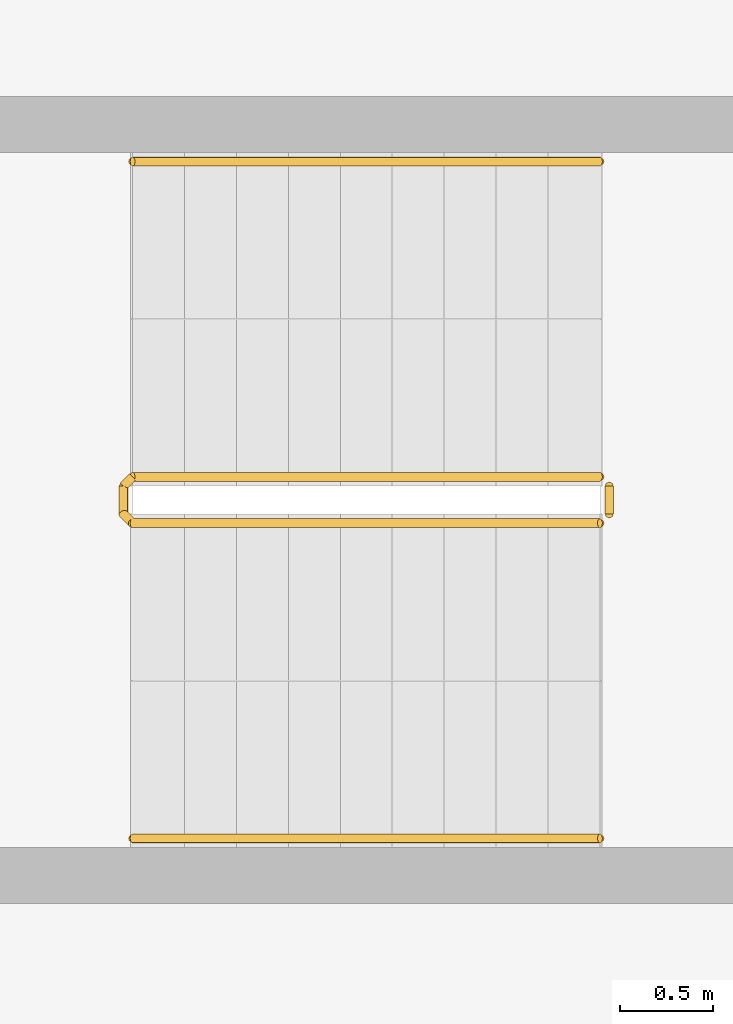
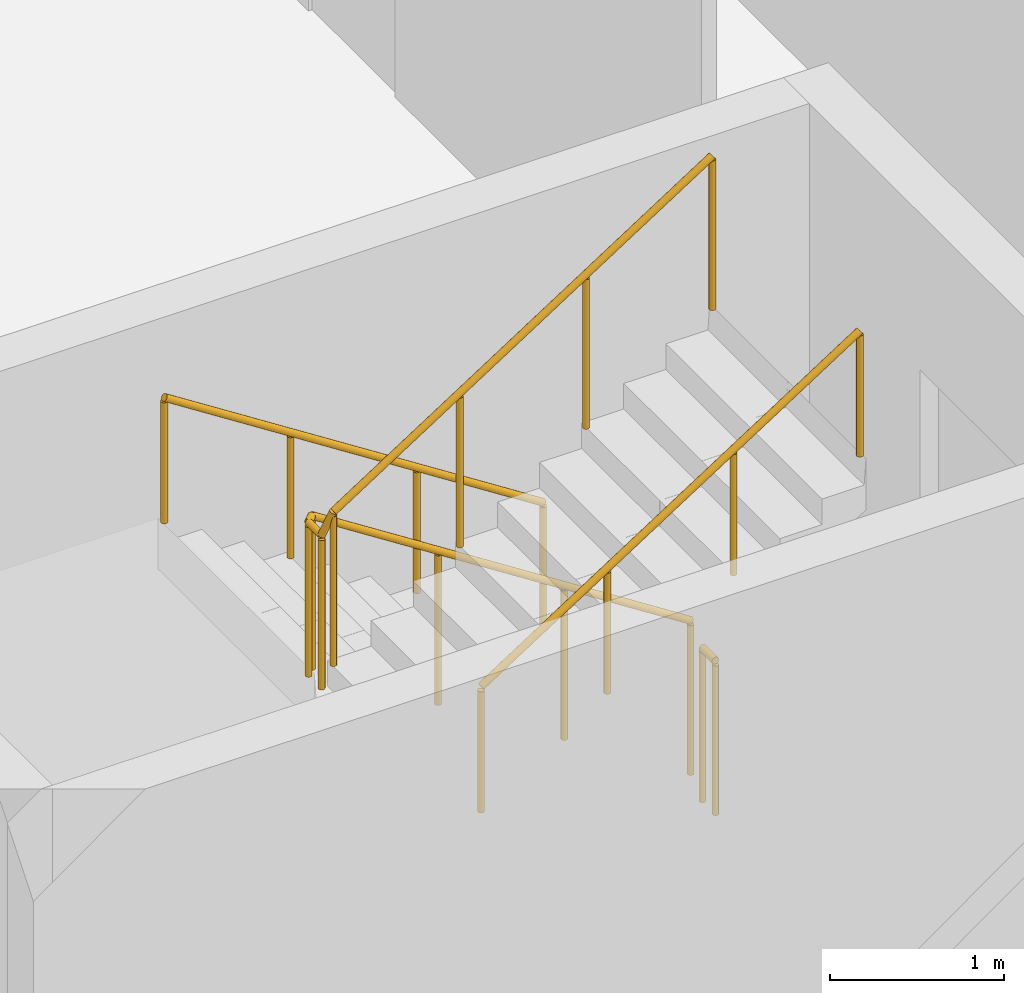
# One storey, part 25 of 28: 4 railings.
"""IFC4 building model written with IfcOpenShell, lengths in metres."""

from ifc_helpers import new_model, si_unit, direction, frame, origin, origin_2d, place, context, subcontext, project, spatial, circle, extrude, material, type_object, element, save


model = new_model("IFC4")

# Units and contexts
model_context = context("Model", 3, precision=1e-05, world=origin(), true_north=direction((0.0, 1.0)))
body_context = subcontext(model_context, "Body", "Model", "MODEL_VIEW")
ifc_project = project(units=[si_unit("LENGTHUNIT", "METRE"), si_unit("AREAUNIT", "SQUARE_METRE"), si_unit("VOLUMEUNIT", "CUBIC_METRE"), si_unit("PLANEANGLEUNIT", "RADIAN"), si_unit("MASSUNIT", "GRAM", prefix="KILO")], contexts=[model_context])

# Site, building, storey
site_placement = place(None, origin())
site = spatial("IfcSite", under=ifc_project, at=site_placement, CompositionType="ELEMENT")
building_placement = place(site_placement, origin())
building = spatial("IfcBuilding", under=site, at=building_placement, Name="Wharfspan Tower", CompositionType="ELEMENT")
storey_placement = place(building_placement, frame((0.0, 0.0, 59.5)))
storey = spatial("IfcBuildingStorey", under=building, at=storey_placement, Name="L11", CompositionType="ELEMENT", Elevation=59.5)

# Railings
ifc_material = material(Name="Steel S355J2", Category="steel")
railing_type_1 = type_object("IfcRailingType", Name="Stair guard 1100", PredefinedType="GUARDRAIL", material=ifc_material)
railing_1_placement = place(storey_placement, frame((6.899902, 22.625, 0.179932)))
element("IfcRailing", 1, at=railing_1_placement, inside=storey, type_object=railing_type_1, Name="L11 ST3 stair guard 1", PredefinedType="GUARDRAIL", context=body_context, shape_type="SweptSolid", body=[
    extrude(circle(Radius=0.023926, at=origin_2d()), frame((0.0, 0.0, 1.076172), z_axis=(-0.841163, 0.0, 0.540782), x_axis=(0.0, -1.0, 0.0)), (0.0, 0.0, 1.0), 2.99585),
    extrude(circle(Radius=0.023926, at=origin_2d()), frame((-2.52002, 0.0, 2.696289), z_axis=(-0.705376, -0.708834, 0.0), x_axis=(0.708834, -0.705376, 0.0)), (0.0, 0.0, 1.0), 0.070557),
    extrude(circle(Radius=0.023926, at=origin_2d()), frame((-2.569824, -0.050049, 2.696289), z_axis=(0.0, -1.0, 0.0), x_axis=(1.0, 0.0, 0.0)), (0.0, 0.0, 1.0), 0.149902),
    extrude(circle(Radius=0.023926, at=origin_2d()), frame((-2.569824, -0.199951, 2.696289), z_axis=(0.257669, -0.258932, 0.930892), x_axis=(0.708833, 0.705372, -1e-06)), (0.0, 0.0, 1.0), 0.193359),
    extrude(circle(Radius=0.023926, at=origin_2d()), frame((-2.52002, -0.25, 2.875977), z_axis=(0.841163, 0.0, 0.540782), x_axis=(0.0, 1.0, 0.0)), (0.0, 0.0, 1.0), 2.99585),
    extrude(circle(Radius=0.020996, at=origin_2d()), origin(), (0.0, 0.0, 1.0), 1.052002),
    extrude(circle(Radius=0.020996, at=origin_2d()), frame((-0.840088, 0.0, 0.540039)), (0.0, 0.0, 1.0), 1.052002),
    extrude(circle(Radius=0.020996, at=origin_2d()), frame((-1.679932, 0.0, 1.080078)), (0.0, 0.0, 1.0), 1.052002),
    extrude(circle(Radius=0.020996, at=origin_2d()), frame((-2.52002, 0.0, 1.620117)), (0.0, 0.0, 1.0), 1.052002),
    extrude(circle(Radius=0.020996, at=origin_2d()), frame((-2.569824, -0.050049, 1.620117)), (0.0, 0.0, 1.0), 1.052002),
    extrude(circle(Radius=0.020996, at=origin_2d()), frame((-2.569824, -0.199951, 1.620117)), (0.0, 0.0, 1.0), 1.052002),
    extrude(circle(Radius=0.020996, at=origin_2d()), frame((-2.52002, -0.25, 1.800049)), (0.0, 0.0, 1.0), 1.052002),
    extrude(circle(Radius=0.020996, at=origin_2d()), frame((-1.679932, -0.25, 2.340088)), (0.0, 0.0, 1.0), 1.052002),
    extrude(circle(Radius=0.020996, at=origin_2d()), frame((-0.840088, -0.25, 2.880127)), (0.0, 0.0, 1.0), 1.052002),
    extrude(circle(Radius=0.020996, at=origin_2d()), frame((0.0, -0.25, 3.420166)), (0.0, 0.0, 1.0), 1.052002),
])
railing_2_placement = place(storey_placement, frame((6.949951, 22.574951, 0.0)))
element("IfcRailing", 2, at=railing_2_placement, inside=storey, type_object=railing_type_1, Name="L11 ST3 stair guard 2", PredefinedType="GUARDRAIL", context=body_context, shape_type="SweptSolid", body=[
    extrude(circle(Radius=0.023926, at=origin_2d()), frame((0.0, 0.0, 1.076172), z_axis=(0.0, -1.0, 0.0), x_axis=(1.0, 0.0, 0.0)), (0.0, 0.0, 1.0), 0.149902),
    extrude(circle(Radius=0.020996, at=origin_2d()), origin(), (0.0, 0.0, 1.0), 1.052002),
    extrude(circle(Radius=0.020996, at=origin_2d()), frame((0.0, -0.149902, 0.0)), (0.0, 0.0, 1.0), 1.052002),
])
railing_type_2 = type_object("IfcRailingType", Name="Stair handrail 900", PredefinedType="HANDRAIL", material=ifc_material)
railing_3_placement = place(storey_placement, frame((6.899902, 24.324951, 0.179932)))
element("IfcRailing", 3, at=railing_3_placement, inside=storey, type_object=railing_type_2, Name="L11 ST3 stair handrail 1", PredefinedType="HANDRAIL", context=body_context, shape_type="SweptSolid", body=[
    extrude(circle(Radius=0.023926, at=origin_2d()), frame((0.0, 0.0, 0.875977), z_axis=(-0.841163, 0.0, 0.540782), x_axis=(0.0, -1.0, 0.0)), (0.0, 0.0, 1.0), 2.99585),
    extrude(circle(Radius=0.020996, at=origin_2d()), origin(), (0.0, 0.0, 1.0), 0.851807),
    extrude(circle(Radius=0.020996, at=origin_2d()), frame((-0.840088, 0.0, 0.540039)), (0.0, 0.0, 1.0), 0.851807),
    extrude(circle(Radius=0.020996, at=origin_2d()), frame((-1.679932, 0.0, 1.080078)), (0.0, 0.0, 1.0), 0.851807),
    extrude(circle(Radius=0.020996, at=origin_2d()), frame((-2.52002, 0.0, 1.620117)), (0.0, 0.0, 1.0), 0.851807),
])
railing_4_placement = place(storey_placement, frame((4.379883, 20.675049, 1.97998)))
element("IfcRailing", 4, at=railing_4_placement, inside=storey, type_object=railing_type_2, Name="L11 ST3 stair handrail 2", PredefinedType="HANDRAIL", context=body_context, shape_type="SweptSolid", body=[
    extrude(circle(Radius=0.023926, at=origin_2d()), frame((0.0, 0.0, 0.875977), z_axis=(0.841163, 0.0, 0.540782), x_axis=(0.0, 1.0, 0.0)), (0.0, 0.0, 1.0), 2.99585),
    extrude(circle(Radius=0.020996, at=origin_2d()), origin(), (0.0, 0.0, 1.0), 0.851807),
    extrude(circle(Radius=0.020996, at=origin_2d()), frame((0.840088, 0.0, 0.540039)), (0.0, 0.0, 1.0), 0.851807),
    extrude(circle(Radius=0.020996, at=origin_2d()), frame((1.679932, 0.0, 1.080078)), (0.0, 0.0, 1.0), 0.851807),
    extrude(circle(Radius=0.020996, at=origin_2d()), frame((2.52002, 0.0, 1.620117)), (0.0, 0.0, 1.0), 0.851807),
])

save(model, "model.ifc")
